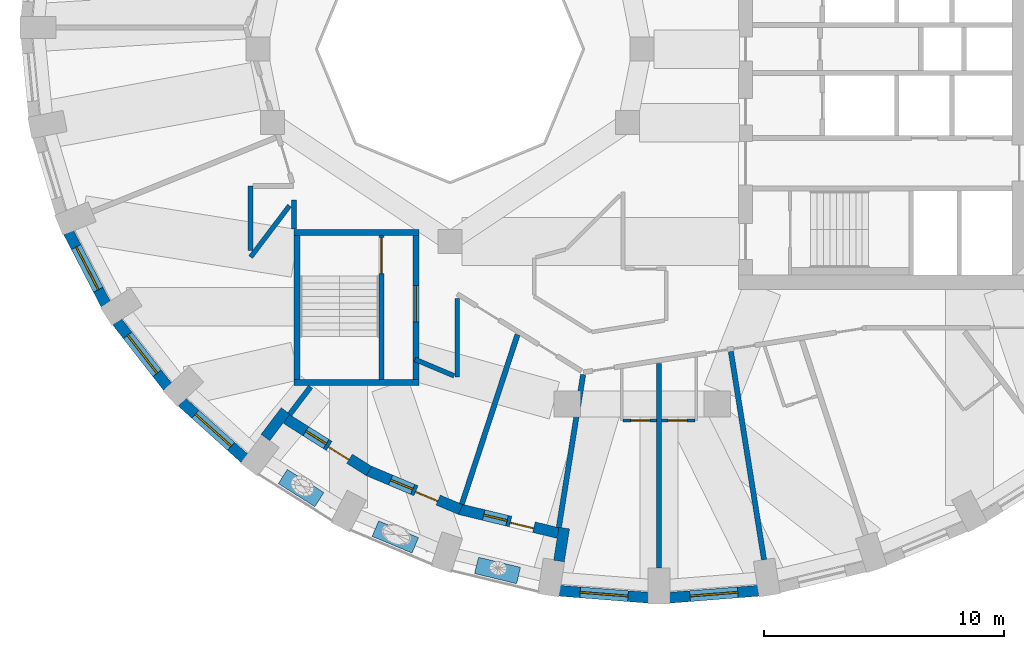
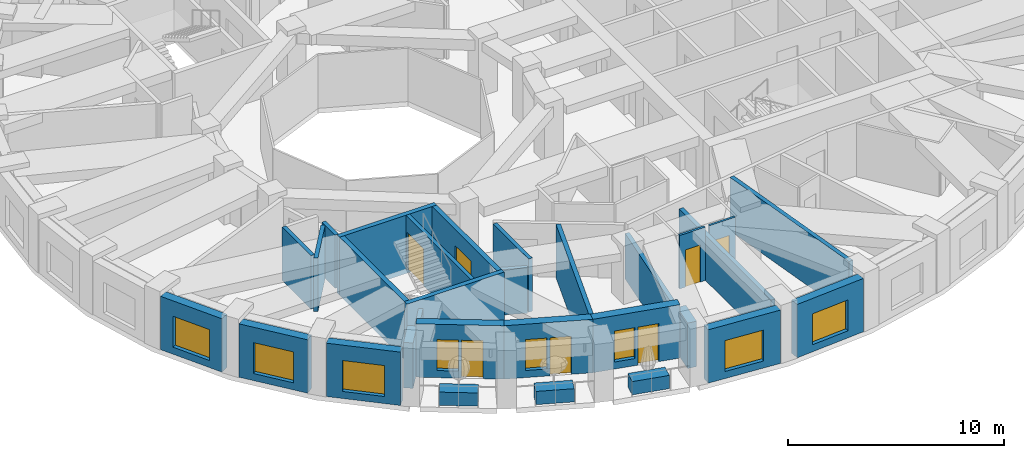
# One storey, part 3 of 12: 30 walls, 8 windows, 7 doors, 15 openings.
"""IFC4 building model written with IfcOpenShell, lengths in metres."""

import ifcopenshell
import ifcopenshell.guid

model = None  # the IFC model being written
_history = None  # IfcOwnerHistory: only IFC2X3 demands one
_inside = {}  # id of a spatial element -> (the spatial element, [elements in it])
_under = {}  # id of a project, library or spatial element -> (it, [spatial elements below it])
_declared = {}  # id of a project -> (the project, [libraries it declares])
_typed = {}  # id of a type object -> (the type object, [elements of that type])
_made_of = {}  # id of a material, layer set ... -> (it, [elements and type objects made of it])


def new_model(schema):
    """Start an empty IFC model of exactly this schema.

    Asked for "IFC4X3", IfcOpenShell would pick the latest addendum, in which some entities
    have other attributes; the version numbers below select the first issue.
    IFC2X3 requires an IfcOwnerHistory on every rooted entity: one is made here for all.
    """
    global model, _history
    if schema == "IFC4X3":
        model = ifcopenshell.file(schema_version=(4, 3, 0, 0))
    else:
        model = ifcopenshell.file(schema=schema)
    _inside.clear()
    _under.clear()
    _declared.clear()
    _typed.clear()
    _made_of.clear()
    _history = None
    if model.schema == "IFC2X3":
        org = make("IfcOrganization", Name="unknown")
        user = make(
            "IfcPersonAndOrganization",
            ThePerson=make("IfcPerson", FamilyName="unknown"),
            TheOrganization=org,
        )
        app = make(
            "IfcApplication",
            ApplicationDeveloper=org,
            Version="unknown",
            ApplicationFullName="unknown",
            ApplicationIdentifier="unknown",
        )
        _history = make(
            "IfcOwnerHistory",
            OwningUser=user,
            OwningApplication=app,
            ChangeAction="ADDED",
            CreationDate=0,
        )
    return model


def make(cls, **values):
    """One entity of the class cls with the attributes given. An attribute that is None is left unset."""
    return model.create_entity(
        cls, **{name: value for name, value in values.items() if value is not None}
    )


def rooted(cls, **values):
    """An entity with a GlobalId (a new one), such as an element, a storey or a relation."""
    return make(cls, GlobalId=ifcopenshell.guid.new(), OwnerHistory=_history, **values)


def si_unit(unit_type, name, prefix=None):
    """IfcSIUnit, for example si_unit("LENGTHUNIT", "METRE", prefix="MILLI")."""
    return make("IfcSIUnit", UnitType=unit_type, Prefix=prefix, Name=name)


def assignment(units):
    """IfcUnitAssignment: the units of a project."""
    return None if units is None else make("IfcUnitAssignment", Units=units)


def point(xyz):
    """IfcCartesianPoint."""
    return None if xyz is None else make("IfcCartesianPoint", Coordinates=xyz)


def direction(xyz):
    """IfcDirection."""
    return None if xyz is None else make("IfcDirection", DirectionRatios=xyz)


def frame(location, z_axis=None, x_axis=None):
    """IfcAxis2Placement3D, a coordinate frame: its origin and axes. An axis left out is left unset."""
    return make(
        "IfcAxis2Placement3D",
        Location=point(location),
        Axis=direction(z_axis),
        RefDirection=direction(x_axis),
    )


def frame_2d(location, x_axis=None):
    """IfcAxis2Placement2D, a coordinate frame in the plane: its origin and x axis."""
    return make(
        "IfcAxis2Placement2D", Location=point(location), RefDirection=direction(x_axis)
    )


def origin():
    """The frame at (0, 0, 0) with its axes left unset."""
    return frame((0.0, 0.0, 0.0))


def place(relative_to, where):
    """IfcLocalPlacement: puts the frame where relative to a parent placement (None: the world)."""
    return make(
        "IfcLocalPlacement", PlacementRelTo=relative_to, RelativePlacement=where
    )


def context(
    kind, dimensions, precision=None, world=None, true_north=None, identifier=None
):
    """IfcGeometricRepresentationContext, for example the 3D "Model" context."""
    return make(
        "IfcGeometricRepresentationContext",
        ContextIdentifier=identifier,
        ContextType=kind,
        CoordinateSpaceDimension=dimensions,
        Precision=precision,
        WorldCoordinateSystem=world,
        TrueNorth=true_north,
    )


def subcontext(parent, identifier, kind, view, scale=None):
    """IfcGeometricRepresentationSubContext, for example "Body" below "Model"."""
    return make(
        "IfcGeometricRepresentationSubContext",
        ContextIdentifier=identifier,
        ContextType=kind,
        ParentContext=parent,
        TargetScale=scale,
        TargetView=view,
    )


def project(units=None, contexts=None):
    """IfcProject with its units and contexts."""
    return rooted(
        "IfcProject",
        Name="project",
        RepresentationContexts=contexts,
        UnitsInContext=assignment(units),
    )


def spatial(cls, under=None, at=None, **own):
    """A site, building, storey or space (cls), placed at a placement, below another one or the project."""
    s = rooted(cls, ObjectPlacement=at, **own)
    if under is not None:
        _under.setdefault(under.id(), (under, []))[1].append(s)
    return s


def profile(cls, at=None, kind="AREA", **sizes):
    """A parametric profile (cls). Its sizes go by their IFC names, for example OverallWidth=200.0."""
    return make(cls, ProfileType=kind, Position=at, **sizes)


def rectangle(**sizes):
    """IfcRectangleProfileDef."""
    return profile("IfcRectangleProfileDef", **sizes)


def extrude(swept, where, along, depth):
    """IfcExtrudedAreaSolid: the profile swept, set in the frame where, extruded along a direction by depth."""
    return make(
        "IfcExtrudedAreaSolid",
        SweptArea=swept,
        Position=where,
        ExtrudedDirection=direction(along),
        Depth=depth,
    )


def shape(context_of_items, identifier, shape_type, items):
    """IfcShapeRepresentation: the items that make up one representation, for example the "Body"."""
    return make(
        "IfcShapeRepresentation",
        ContextOfItems=context_of_items,
        RepresentationIdentifier=identifier,
        RepresentationType=shape_type,
        Items=items,
    )


def material(Name=None, Category=None):
    """IfcMaterial."""
    return make("IfcMaterial", Name=Name, Category=Category)


def layer(
    of_material, thickness, ventilated=None, Name=None, Category=None, Priority=None
):
    """IfcMaterialLayer: one layer of a wall or slab, of a material (None: an air gap)."""
    return make(
        "IfcMaterialLayer",
        Material=of_material,
        LayerThickness=thickness,
        IsVentilated=ventilated,
        Name=Name,
        Category=Category,
        Priority=Priority,
    )


def layer_set(layers, Name=None):
    """IfcMaterialLayerSet."""
    return make("IfcMaterialLayerSet", MaterialLayers=layers, LayerSetName=Name)


def constituent(of_material, Name=None, Category=None, fraction=None):
    """IfcMaterialConstituent: one of the materials an element consists of."""
    return make(
        "IfcMaterialConstituent",
        Name=Name,
        Material=of_material,
        Fraction=fraction,
        Category=Category,
    )


def constituent_set(constituents=None, Name=None):
    """IfcMaterialConstituentSet."""
    return make(
        "IfcMaterialConstituentSet", Name=Name, MaterialConstituents=constituents
    )


def made_of(thing, what):
    """Note that an element or type object is made of a material, layer set ...; save() writes the relation."""
    if what is not None:
        _made_of.setdefault(what.id(), (what, []))[1].append(thing)
    return thing


def type_object(cls, material=None, **own):
    """A type object (cls), such as IfcWallType, which elements share."""
    return made_of(rooted(cls, **own), material)


def element(
    cls,
    number,
    at=None,
    inside=None,
    cuts=None,
    type_object=None,
    material=None,
    context=None,
    identifier="Body",
    shape_type=None,
    held_by="IfcProductDefinitionShape",
    body=None,
    shapes=None,
    **own,
):
    """One element of the class cls, such as IfcWall. Its Tag is "e" and its number.

    at: its placement. inside: the storey or other place that contains it. cuts: it is an
    opening in that element (IfcRelVoidsElement). A single representation is given by context,
    identifier, shape_type and body (its items); several are given by shapes. held_by: the class
    of the entity that holds the representations. save() writes the other relations.
    """
    e = rooted(cls, Tag="e%d" % number, ObjectPlacement=at, **own)
    if body is not None:
        shapes = [shape(context, identifier, shape_type, body)]
    if shapes is not None:
        e.Representation = make(held_by, Representations=shapes)
    if inside is not None:
        _inside.setdefault(inside.id(), (inside, []))[1].append(e)
    if cuts is not None:
        rooted(
            "IfcRelVoidsElement", RelatingBuildingElement=cuts, RelatedOpeningElement=e
        )
    if type_object is not None:
        _typed.setdefault(type_object.id(), (type_object, []))[1].append(e)
    return made_of(e, material)


def fill(opening, filler):
    """IfcRelFillsElement: the door or window that sits in an opening."""
    return rooted(
        "IfcRelFillsElement",
        RelatingOpeningElement=opening,
        RelatedBuildingElement=filler,
    )


def aggregate(whole, parts):
    """IfcRelAggregates: a whole, such as a stair, and the parts it consists of."""
    return rooted("IfcRelAggregates", RelatingObject=whole, RelatedObjects=parts)


def save(model, path):
    """Write the relations noted so far, then the file.

    IfcRelAggregates (storeys below a building ...), IfcRelContainedInSpatialStructure (elements
    in a storey), IfcRelDefinesByType, IfcRelAssociatesMaterial and IfcRelDeclares: one each for
    every whole, place, type object, material and project.
    """
    for whole, parts in _under.values():
        aggregate(whole, parts)
    for where, things in _inside.values():
        rooted(
            "IfcRelContainedInSpatialStructure",
            RelatedElements=things,
            RelatingStructure=where,
        )
    for kind, things in _typed.values():
        rooted("IfcRelDefinesByType", RelatedObjects=things, RelatingType=kind)
    for what, things in _made_of.values():
        rooted("IfcRelAssociatesMaterial", RelatedObjects=things, RelatingMaterial=what)
    for by, libraries in _declared.values():
        rooted("IfcRelDeclares", RelatingContext=by, RelatedDefinitions=libraries)
    model.write(path)


model = new_model("IFC4")

# Units and contexts
model_context = context("Model", 3, precision=1e-05, world=origin(), true_north=direction((0.0, 1.0)))
body_context = subcontext(model_context, "Body", "Model", "MODEL_VIEW")
ifc_project = project(units=[si_unit("LENGTHUNIT", "METRE"), si_unit("AREAUNIT", "SQUARE_METRE"), si_unit("VOLUMEUNIT", "CUBIC_METRE"), si_unit("PLANEANGLEUNIT", "RADIAN"), si_unit("MASSUNIT", "GRAM", prefix="KILO")], contexts=[model_context])

# Site, building, storey
site_placement = place(None, origin())
site = spatial("IfcSite", under=ifc_project, at=site_placement, CompositionType="ELEMENT")
building_placement = place(site_placement, origin())
building = spatial("IfcBuilding", under=site, at=building_placement, Name="Taillehof Tower", CompositionType="ELEMENT")
storey_placement = place(building_placement, frame((0.0, 0.0, 209.0)))
storey = spatial("IfcBuildingStorey", under=building, at=storey_placement, Name="L59", CompositionType="ELEMENT", Elevation=209.0)

# Wall, opening, window
ifc_material_1 = material(Name="Brick masonry", Category="masonry")
ifc_layer_1 = layer(ifc_material_1, 0.449951171875)
ifc_layer_set_1 = layer_set([ifc_layer_1], Name="Brick infill wall 450")
wall_type_1 = type_object("IfcWallType", Name="Brick infill wall 450", PredefinedType="SOLIDWALL", material=ifc_layer_set_1)
wall_1_placement = place(storey_placement, frame((-23.878173828125, -7.631591796875, 0.0), z_axis=(0.0, 0.0, 1.0), x_axis=(0.460232593174, -0.887798378113, 0.0)))
wall_1 = element("IfcWall", 1, at=wall_1_placement, inside=storey, type_object=wall_type_1, Name="Brick wall L59 bay 21", PredefinedType="SOLIDWALL", context=body_context, shape_type="SweptSolid", body=[
    extrude(rectangle(XDim=3.37060546875, YDim=0.449951171875, at=frame_2d((1.685302734375, 0.0))), origin(), (0.0, 0.0, 1.0), 3.02001953125),
])
opening_1_placement = place(wall_1_placement, frame((0.685302734375, 0.0, 0.39990234375)))
opening_1 = element("IfcOpeningElement", 2, at=opening_1_placement, cuts=wall_1, Name="Opening W2", PredefinedType="OPENING", context=body_context, shape_type="SweptSolid", body=[
    extrude(rectangle(XDim=2.0, YDim=1.75, at=frame_2d((1.0, 0.875))), frame((0.0, 0.23486328125, 0.0), z_axis=(0.0, -1.0, 0.0), x_axis=(1.0, 0.0, 0.0)), (0.0, 0.0, 1.0), 0.469970703125),
])
ifc_material_2 = material(Name="Aluminium window frame with clear double glazing", Category="aluminium")
window_type_1 = type_object("IfcWindowType", Name="Deep-set window 2000x1750", PartitioningType="SINGLE_PANEL", PredefinedType="WINDOW", material=ifc_material_2)
window_1_placement = place(opening_1_placement, origin())
window_1 = element("IfcWindow", 3, at=window_1_placement, inside=storey, type_object=window_type_1, Name="W2", OverallHeight=1.75, OverallWidth=2.0, PartitioningType="SINGLE_PANEL", PredefinedType="WINDOW", context=body_context, shape_type="SweptSolid", body=[
    extrude(rectangle(XDim=2.0, YDim=1.75, at=frame_2d((1.0, 0.875))), frame((0.0, 0.034912109375, 0.0), z_axis=(0.0, -1.0, 0.0), x_axis=(1.0, 0.0, 0.0)), (0.0, 0.0, 1.0), 0.06005859375),
])
fill(opening_1, window_1)

wall_2_placement = place(storey_placement, frame((-21.86279296875, -11.348388671875, 0.0), z_axis=(0.0, 0.0, 1.0), x_axis=(0.614255239631, -0.789107407509, 0.0)))
wall_2 = element("IfcWall", 4, at=wall_2_placement, inside=storey, type_object=wall_type_1, Name="Brick wall L59 bay 22", PredefinedType="SOLIDWALL", context=body_context, shape_type="SweptSolid", body=[
    extrude(rectangle(XDim=3.4375, YDim=0.449951171875, at=frame_2d((1.71875, 0.0))), origin(), (0.0, 0.0, 1.0), 3.02001953125),
])
opening_2_placement = place(wall_2_placement, frame((0.71875, 0.0, 0.39990234375)))
opening_2 = element("IfcOpeningElement", 5, at=opening_2_placement, cuts=wall_2, Name="Opening W2", PredefinedType="OPENING", context=body_context, shape_type="SweptSolid", body=[
    extrude(rectangle(XDim=2.0, YDim=1.75, at=frame_2d((1.0, 0.875))), frame((0.0, 0.23486328125, 0.0), z_axis=(0.0, -1.0, 0.0), x_axis=(1.0, 0.0, 0.0)), (0.0, 0.0, 1.0), 0.469970703125),
])
window_2_placement = place(opening_2_placement, origin())
window_2 = element("IfcWindow", 6, at=window_2_placement, inside=storey, type_object=window_type_1, Name="W2", OverallHeight=1.75, OverallWidth=2.0, PartitioningType="SINGLE_PANEL", PredefinedType="WINDOW", context=body_context, shape_type="SweptSolid", body=[
    extrude(rectangle(XDim=2.0, YDim=1.75, at=frame_2d((1.0, 0.875))), frame((0.0, 0.034912109375, 0.0), z_axis=(0.0, -1.0, 0.0), x_axis=(1.0, 0.0, 0.0)), (0.0, 0.0, 1.0), 0.06005859375),
])
fill(opening_2, window_2)

wall_3_placement = place(storey_placement, frame((-19.1650390625, -14.6904296875, 0.0), z_axis=(0.0, 0.0, 1.0), x_axis=(0.743442727602, -0.668799604348, 0.0)))
wall_3 = element("IfcWall", 7, at=wall_3_placement, inside=storey, type_object=wall_type_1, Name="Brick wall L59 bay 23", PredefinedType="SOLIDWALL", context=body_context, shape_type="SweptSolid", body=[
    extrude(rectangle(XDim=3.5126953125, YDim=0.449951171875, at=frame_2d((1.75634765625, 0.0))), origin(), (0.0, 0.0, 1.0), 3.02001953125),
])
opening_3_placement = place(wall_3_placement, frame((0.75634765625, 0.0, 0.39990234375)))
opening_3 = element("IfcOpeningElement", 8, at=opening_3_placement, cuts=wall_3, Name="Opening W2", PredefinedType="OPENING", context=body_context, shape_type="SweptSolid", body=[
    extrude(rectangle(XDim=2.0, YDim=1.75, at=frame_2d((1.0, 0.875))), frame((0.0, 0.23486328125, 0.0), z_axis=(0.0, -1.0, 0.0), x_axis=(1.0, 0.0, 0.0)), (0.0, 0.0, 1.0), 0.469970703125),
])
window_3_placement = place(opening_3_placement, origin())
window_3 = element("IfcWindow", 9, at=window_3_placement, inside=storey, type_object=window_type_1, Name="W2", OverallHeight=1.75, OverallWidth=2.0, PartitioningType="SINGLE_PANEL", PredefinedType="WINDOW", context=body_context, shape_type="SweptSolid", body=[
    extrude(rectangle(XDim=2.0, YDim=1.75, at=frame_2d((1.0, 0.875))), frame((0.0, 0.034912109375, 0.0), z_axis=(0.0, -1.0, 0.0), x_axis=(1.0, 0.0, 0.0)), (0.0, 0.0, 1.0), 0.06005859375),
])
fill(opening_3, window_3)

wall_4_placement = place(storey_placement, frame((-3.441162109375, -22.54833984375, 0.0), z_axis=(0.0, 0.0, 1.0), x_axis=(0.996913971077, -0.078501810629, 0.0)))
wall_4 = element("IfcWall", 10, at=wall_4_placement, inside=storey, type_object=wall_type_1, Name="Brick wall L59 bay 27", PredefinedType="SOLIDWALL", context=body_context, shape_type="SweptSolid", body=[
    extrude(rectangle(XDim=3.72265625, YDim=0.449951171875, at=frame_2d((1.861328125, 0.0))), origin(), (0.0, 0.0, 1.0), 3.02001953125),
])
opening_4_placement = place(wall_4_placement, frame((0.861328125, 0.0, 0.39990234375)))
opening_4 = element("IfcOpeningElement", 11, at=opening_4_placement, cuts=wall_4, Name="Opening W2", PredefinedType="OPENING", context=body_context, shape_type="SweptSolid", body=[
    extrude(rectangle(XDim=2.0, YDim=1.75, at=frame_2d((1.0, 0.875))), frame((0.0, 0.23486328125, 0.0), z_axis=(0.0, -1.0, 0.0), x_axis=(1.0, 0.0, 0.0)), (0.0, 0.0, 1.0), 0.469970703125),
])
window_4_placement = place(opening_4_placement, origin())
window_4 = element("IfcWindow", 12, at=window_4_placement, inside=storey, type_object=window_type_1, Name="W2", OverallHeight=1.75, OverallWidth=2.0, PartitioningType="SINGLE_PANEL", PredefinedType="WINDOW", context=body_context, shape_type="SweptSolid", body=[
    extrude(rectangle(XDim=2.0, YDim=1.75, at=frame_2d((1.0, 0.875))), frame((0.0, 0.034912109375, 0.0), z_axis=(0.0, -1.0, 0.0), x_axis=(1.0, 0.0, 0.0)), (0.0, 0.0, 1.0), 0.06005859375),
])
fill(opening_4, window_4)

wall_5_placement = place(storey_placement, frame((1.130126953125, -22.840576171875, 0.0), z_axis=(0.0, 0.0, 1.0), x_axis=(0.996913566885, 0.078506943392, 0.0)))
wall_5 = element("IfcWall", 13, at=wall_5_placement, inside=storey, type_object=wall_type_1, Name="Brick wall L59 bay 28", PredefinedType="SOLIDWALL", context=body_context, shape_type="SweptSolid", body=[
    extrude(rectangle(XDim=3.722412109375, YDim=0.449951171875, at=frame_2d((1.861328125, 0.0))), origin(), (0.0, 0.0, 1.0), 3.02001953125),
])
opening_5_placement = place(wall_5_placement, frame((0.861328125, 0.0, 0.39990234375)))
opening_5 = element("IfcOpeningElement", 14, at=opening_5_placement, cuts=wall_5, Name="Opening W2", PredefinedType="OPENING", context=body_context, shape_type="SweptSolid", body=[
    extrude(rectangle(XDim=2.0, YDim=1.75, at=frame_2d((1.0, 0.875))), frame((0.0, 0.23486328125, 0.0), z_axis=(0.0, -1.0, 0.0), x_axis=(1.0, 0.0, 0.0)), (0.0, 0.0, 1.0), 0.469970703125),
])
window_5_placement = place(opening_5_placement, origin())
window_5 = element("IfcWindow", 15, at=window_5_placement, inside=storey, type_object=window_type_1, Name="W2", OverallHeight=1.75, OverallWidth=2.0, PartitioningType="SINGLE_PANEL", PredefinedType="WINDOW", context=body_context, shape_type="SweptSolid", body=[
    extrude(rectangle(XDim=2.0, YDim=1.75, at=frame_2d((1.0, 0.875))), frame((0.0, 0.034912109375, 0.0), z_axis=(0.0, -1.0, 0.0), x_axis=(1.0, 0.0, 0.0)), (0.0, 0.0, 1.0), 0.06005859375),
])
fill(opening_5, window_5)

# Walls
wall_6_placement = place(storey_placement, frame((-15.684814453125, -16.169921875, 0.0), z_axis=(0.0, 0.0, 1.0), x_axis=(0.603644757989, 0.797253414011, 0.0)))
element("IfcWall", 16, at=wall_6_placement, inside=storey, type_object=wall_type_1, Name="Brick reveal L59 pocket 7", PredefinedType="SOLIDWALL", context=body_context, shape_type="SweptSolid", body=[
    extrude(rectangle(XDim=1.390869140625, YDim=0.449951171875, at=frame_2d((0.6953125, 0.0))), origin(), (0.0, 0.0, 1.0), 2.570068359375),
])
wall_7_placement = place(storey_placement, frame((-3.46435546875, -21.309326171875, 0.0), z_axis=(0.0, 0.0, 1.0), x_axis=(0.157161757203, 0.98757287431, 0.0)))
element("IfcWall", 17, at=wall_7_placement, inside=storey, type_object=wall_type_1, Name="Brick reveal L59 pocket 7", PredefinedType="SOLIDWALL", context=body_context, shape_type="SweptSolid", body=[
    extrude(rectangle(XDim=1.390380859375, YDim=0.449951171875, at=frame_2d((0.6953125, 0.0))), origin(), (0.0, 0.0, 1.0), 2.570068359375),
])

# Wall, openings, door, window
wall_8_placement = place(storey_placement, frame((-14.813232421875, -15.3916015625, 0.0), z_axis=(0.0, 0.0, 1.0), x_axis=(0.84545185308, -0.534051649303, 0.0)))
wall_8 = element("IfcWall", 18, at=wall_8_placement, inside=storey, type_object=wall_type_1, Name="Brick wall L59 pocket bay 24", PredefinedType="SOLIDWALL", context=body_context, shape_type="SweptSolid", body=[
    extrude(rectangle(XDim=4.0712890625, YDim=0.449951171875, at=frame_2d((2.03564453125, 0.0))), origin(), (0.0, 0.0, 1.0), 3.02001953125),
])
opening_6_placement = place(wall_8_placement, frame((0.960693359375, 0.0, 0.39990234375)))
opening_6 = element("IfcOpeningElement", 19, at=opening_6_placement, cuts=wall_8, Name="Opening W5", PredefinedType="OPENING", context=body_context, shape_type="SweptSolid", body=[
    extrude(rectangle(XDim=1.0, YDim=1.75, at=frame_2d((0.5, 0.875))), frame((0.0, 0.23486328125, 0.0), z_axis=(0.0, -1.0, 0.0), x_axis=(1.0, 0.0, 0.0)), (0.0, 0.0, 1.0), 0.469970703125),
])
opening_7_placement = place(wall_8_placement, frame((2.110595703125, 0.0, 0.0)))
opening_7 = element("IfcOpeningElement", 20, at=opening_7_placement, cuts=wall_8, Name="Opening D5991", PredefinedType="OPENING", context=body_context, shape_type="SweptSolid", body=[
    extrude(rectangle(XDim=1.0, YDim=2.14990234375, at=frame_2d((0.5, 1.074951171875))), frame((0.0, 0.23486328125, 0.0), z_axis=(0.0, -1.0, 0.0), x_axis=(1.0, 0.0, 0.0)), (0.0, 0.0, 1.0), 0.469970703125),
])
ifc_material_3 = material(Name="Aluminium door frame with clear double glazing", Category="aluminium")
door_type_1 = type_object("IfcDoorType", Name="Balcony door 1000x2150", OperationType="SINGLE_SWING_RIGHT", PredefinedType="DOOR", material=ifc_material_3)
door_1_placement = place(opening_7_placement, frame((1.0, 0.0, 0.0), z_axis=(0.0, 0.0, 1.0), x_axis=(-1.0, 0.0, 0.0)))
door_1 = element("IfcDoor", 21, at=door_1_placement, inside=storey, type_object=door_type_1, Name="Balcony door L59 bay 24", OperationType="SINGLE_SWING_RIGHT", OverallHeight=2.14990234375, OverallWidth=1.0, PredefinedType="DOOR", context=body_context, shape_type="SweptSolid", body=[
    extrude(rectangle(XDim=1.0, YDim=2.14990234375, at=frame_2d((0.5, 1.074951171875))), frame((0.0, 0.0751953125, 0.0), z_axis=(0.0, -1.0, 0.0), x_axis=(1.0, 0.0, 0.0)), (0.0, 0.0, 1.0), 0.050048828125),
])
fill(opening_7, door_1)
ifc_material_4 = material(Name="Aluminium window frame with clear double glazing", Category="aluminium")
window_type_2 = type_object("IfcWindowType", Name="Fixed window 1000x1750", PartitioningType="SINGLE_PANEL", PredefinedType="WINDOW", material=ifc_material_4)
window_6_placement = place(opening_6_placement, origin())
window_6 = element("IfcWindow", 22, at=window_6_placement, inside=storey, type_object=window_type_2, Name="W5", OverallHeight=1.75, OverallWidth=1.0, PartitioningType="SINGLE_PANEL", PredefinedType="WINDOW", context=body_context, shape_type="SweptSolid", body=[
    extrude(rectangle(XDim=1.0, YDim=1.75, at=frame_2d((0.5, 0.875))), frame((0.0, 0.034912109375, 0.0), z_axis=(0.0, -1.0, 0.0), x_axis=(1.0, 0.0, 0.0)), (0.0, 0.0, 1.0), 0.06005859375),
])
fill(opening_6, window_6)

wall_9_placement = place(storey_placement, frame((-11.404052734375, -17.548583984375, 0.0), z_axis=(0.0, 0.0, 1.0), x_axis=(0.921751093055, -0.387782055351, 0.0)))
wall_9 = element("IfcWall", 23, at=wall_9_placement, inside=storey, type_object=wall_type_1, Name="Brick wall L59 pocket bay 25", PredefinedType="SOLIDWALL", context=body_context, shape_type="SweptSolid", body=[
    extrude(rectangle(XDim=4.16845703125, YDim=0.449951171875, at=frame_2d((2.084228515625, 0.0))), origin(), (0.0, 0.0, 1.0), 3.02001953125),
])
opening_8_placement = place(wall_9_placement, frame((1.00927734375, 0.0, 0.39990234375)))
opening_8 = element("IfcOpeningElement", 24, at=opening_8_placement, cuts=wall_9, Name="Opening W5", PredefinedType="OPENING", context=body_context, shape_type="SweptSolid", body=[
    extrude(rectangle(XDim=1.0, YDim=1.75, at=frame_2d((0.5, 0.875))), frame((0.0, 0.23486328125, 0.0), z_axis=(0.0, -1.0, 0.0), x_axis=(1.0, 0.0, 0.0)), (0.0, 0.0, 1.0), 0.469970703125),
])
opening_9_placement = place(wall_9_placement, frame((2.1591796875, 0.0, 0.0)))
opening_9 = element("IfcOpeningElement", 25, at=opening_9_placement, cuts=wall_9, Name="Opening D5992", PredefinedType="OPENING", context=body_context, shape_type="SweptSolid", body=[
    extrude(rectangle(XDim=1.0, YDim=2.14990234375, at=frame_2d((0.5, 1.074951171875))), frame((0.0, 0.23486328125, 0.0), z_axis=(0.0, -1.0, 0.0), x_axis=(1.0, 0.0, 0.0)), (0.0, 0.0, 1.0), 0.469970703125),
])
door_2_placement = place(opening_9_placement, frame((1.0, 0.0, 0.0), z_axis=(0.0, 0.0, 1.0), x_axis=(-1.0, 0.0, 0.0)))
door_2 = element("IfcDoor", 26, at=door_2_placement, inside=storey, type_object=door_type_1, Name="Balcony door L59 bay 25", OperationType="SINGLE_SWING_LEFT", OverallHeight=2.14990234375, OverallWidth=1.0, PredefinedType="DOOR", context=body_context, shape_type="SweptSolid", body=[
    extrude(rectangle(XDim=1.0, YDim=2.14990234375, at=frame_2d((0.5, 1.074951171875))), frame((0.0, 0.0751953125, 0.0), z_axis=(0.0, -1.0, 0.0), x_axis=(1.0, 0.0, 0.0)), (0.0, 0.0, 1.0), 0.050048828125),
])
fill(opening_9, door_2)
window_7_placement = place(opening_8_placement, origin())
window_7 = element("IfcWindow", 27, at=window_7_placement, inside=storey, type_object=window_type_2, Name="W5", OverallHeight=1.75, OverallWidth=1.0, PartitioningType="SINGLE_PANEL", PredefinedType="WINDOW", context=body_context, shape_type="SweptSolid", body=[
    extrude(rectangle(XDim=1.0, YDim=1.75, at=frame_2d((0.5, 0.875))), frame((0.0, 0.034912109375, 0.0), z_axis=(0.0, -1.0, 0.0), x_axis=(1.0, 0.0, 0.0)), (0.0, 0.0, 1.0), 0.06005859375),
])
fill(opening_8, window_7)

wall_10_placement = place(storey_placement, frame((-7.595947265625, -19.15380859375, 0.0), z_axis=(0.0, 0.0, 1.0), x_axis=(0.972004107579, -0.234963858602, 0.0)))
wall_10 = element("IfcWall", 28, at=wall_10_placement, inside=storey, type_object=wall_type_1, Name="Brick wall L59 pocket bay 26", PredefinedType="SOLIDWALL", context=body_context, shape_type="SweptSolid", body=[
    extrude(rectangle(XDim=4.20703125, YDim=0.449951171875, at=frame_2d((2.103515625, 0.0))), origin(), (0.0, 0.0, 1.0), 3.02001953125),
])
opening_10_placement = place(wall_10_placement, frame((1.028564453125, 0.0, 0.39990234375)))
opening_10 = element("IfcOpeningElement", 29, at=opening_10_placement, cuts=wall_10, Name="Opening W5", PredefinedType="OPENING", context=body_context, shape_type="SweptSolid", body=[
    extrude(rectangle(XDim=1.0, YDim=1.75, at=frame_2d((0.5, 0.875))), frame((0.0, 0.23486328125, 0.0), z_axis=(0.0, -1.0, 0.0), x_axis=(1.0, 0.0, 0.0)), (0.0, 0.0, 1.0), 0.469970703125),
])
opening_11_placement = place(wall_10_placement, frame((2.1787109375, 0.0, 0.0)))
opening_11 = element("IfcOpeningElement", 30, at=opening_11_placement, cuts=wall_10, Name="Opening D5993", PredefinedType="OPENING", context=body_context, shape_type="SweptSolid", body=[
    extrude(rectangle(XDim=1.0, YDim=2.14990234375, at=frame_2d((0.5, 1.074951171875))), frame((0.0, 0.23486328125, 0.0), z_axis=(0.0, -1.0, 0.0), x_axis=(1.0, 0.0, 0.0)), (0.0, 0.0, 1.0), 0.469970703125),
])
door_3_placement = place(opening_11_placement, frame((1.0, 0.0, 0.0), z_axis=(0.0, 0.0, 1.0), x_axis=(-1.0, 0.0, 0.0)))
door_3 = element("IfcDoor", 31, at=door_3_placement, inside=storey, type_object=door_type_1, Name="Balcony door L59 bay 26", OperationType="SINGLE_SWING_LEFT", OverallHeight=2.14990234375, OverallWidth=1.0, PredefinedType="DOOR", context=body_context, shape_type="SweptSolid", body=[
    extrude(rectangle(XDim=1.0, YDim=2.14990234375, at=frame_2d((0.5, 1.074951171875))), frame((0.0, 0.0751953125, 0.0), z_axis=(0.0, -1.0, 0.0), x_axis=(1.0, 0.0, 0.0)), (0.0, 0.0, 1.0), 0.050048828125),
])
fill(opening_11, door_3)
window_8_placement = place(opening_10_placement, origin())
window_8 = element("IfcWindow", 32, at=window_8_placement, inside=storey, type_object=window_type_2, Name="W5", OverallHeight=1.75, OverallWidth=1.0, PartitioningType="SINGLE_PANEL", PredefinedType="WINDOW", context=body_context, shape_type="SweptSolid", body=[
    extrude(rectangle(XDim=1.0, YDim=1.75, at=frame_2d((0.5, 0.875))), frame((0.0, 0.034912109375, 0.0), z_axis=(0.0, -1.0, 0.0), x_axis=(1.0, 0.0, 0.0)), (0.0, 0.0, 1.0), 0.06005859375),
])
fill(opening_10, window_8)

# Walls
ifc_material_5 = material(Name="Gypsum board on steel studs, two layers each side", Category="steel")
ifc_layer_2 = layer(ifc_material_5, 0.199951171875)
ifc_layer_set_2 = layer_set([ifc_layer_2], Name="Compartment wall corridor 200")
wall_type_2 = type_object("IfcWallType", Name="Compartment wall corridor 200", PredefinedType="PARTITIONING", material=ifc_layer_set_2)
wall_11_placement = place(storey_placement, frame((-7.699951171875, -10.37548828125, 0.0), z_axis=(0.0, 0.0, 1.0), x_axis=(0.0, -1.0, 0.0)))
element("IfcWall", 33, at=wall_11_placement, inside=storey, type_object=wall_type_2, Name="Compartment wall", PredefinedType="PARTITIONING", context=body_context, shape_type="SweptSolid", body=[
    extrude(rectangle(XDim=3.27978515625, YDim=0.199951171875, at=frame_2d((1.639892578125, 0.0))), origin(), (0.0, 0.0, 1.0), 3.02001953125),
])
wall_12_placement = place(storey_placement, frame((-7.829833984375, -13.6005859375, 0.0), z_axis=(0.0, 0.0, 1.0), x_axis=(-0.921793770535, 0.387680596112, 0.0)))
element("IfcWall", 34, at=wall_12_placement, inside=storey, type_object=wall_type_2, Name="Compartment wall", PredefinedType="PARTITIONING", context=body_context, shape_type="SweptSolid", body=[
    extrude(rectangle(XDim=1.76904296875, YDim=0.199951171875, at=frame_2d((0.884521484375, 0.0))), origin(), (0.0, 0.0, 1.0), 2.570068359375),
])
wall_13_placement = place(storey_placement, frame((-14.5, -7.49609375, 0.0), z_axis=(0.0, 0.0, 1.0), x_axis=(0.0, 1.0, 0.0)))
element("IfcWall", 35, at=wall_13_placement, inside=storey, type_object=wall_type_2, Name="Compartment wall", PredefinedType="PARTITIONING", context=body_context, shape_type="SweptSolid", body=[
    extrude(rectangle(XDim=1.2158203125, YDim=0.199951171875, at=frame_2d((0.60791015625, 0.0))), origin(), (0.0, 0.0, 1.0), 3.02001953125),
])
wall_14_placement = place(storey_placement, frame((-14.679443359375, -6.518310546875, 0.0), z_axis=(0.0, 0.0, 1.0), x_axis=(-0.603820908912, -0.797120009761, 0.0)))
element("IfcWall", 36, at=wall_14_placement, inside=storey, type_object=wall_type_2, Name="Compartment wall", PredefinedType="PARTITIONING", context=body_context, shape_type="SweptSolid", body=[
    extrude(rectangle(XDim=2.683837890625, YDim=0.199951171875, at=frame_2d((1.341796875, 0.0))), origin(), (0.0, 0.0, 1.0), 3.02001953125),
])
wall_15_placement = place(storey_placement, frame((-16.300048828125, -8.37744140625, 0.0), z_axis=(0.0, 0.0, 1.0), x_axis=(0.0, 1.0, 0.0)))
element("IfcWall", 37, at=wall_15_placement, inside=storey, type_object=wall_type_2, Name="Compartment wall", PredefinedType="PARTITIONING", context=body_context, shape_type="SweptSolid", body=[
    extrude(rectangle(XDim=2.677490234375, YDim=0.199951171875, at=frame_2d((1.3388671875, 0.0))), origin(), (0.0, 0.0, 1.0), 3.02001953125),
])
ifc_material_6 = material(Name="Gypsum board on double steel studs with mineral wool", Category="steel")
ifc_layer_3 = layer(ifc_material_6, 0.219970703125)
ifc_layer_set_3 = layer_set([ifc_layer_3], Name="Compartment wall guest room 220")
wall_type_3 = type_object("IfcWallType", Name="Compartment wall guest room 220", PredefinedType="PARTITIONING", material=ifc_layer_set_3)
wall_16_placement = place(storey_placement, frame((-14.677001953125, -15.21142578125, 0.0), z_axis=(0.0, 0.0, 1.0), x_axis=(0.603665965776, 0.797237355976, 0.0)))
element("IfcWall", 38, at=wall_16_placement, inside=storey, type_object=wall_type_3, Name="Compartment wall", PredefinedType="PARTITIONING", context=body_context, shape_type="SweptSolid", body=[
    extrude(rectangle(XDim=1.446533203125, YDim=0.219970703125, at=frame_2d((0.72314453125, 0.0))), origin(), (0.0, 0.0, 1.0), 2.570068359375),
])
wall_17_placement = place(storey_placement, frame((-7.508056640625, -18.943603515625, 0.0), z_axis=(0.0, 0.0, 1.0), x_axis=(0.311962912662, 0.950094280124, 0.0)))
element("IfcWall", 39, at=wall_17_placement, inside=storey, type_object=wall_type_3, Name="Compartment wall", PredefinedType="PARTITIONING", context=body_context, shape_type="SweptSolid", body=[
    extrude(rectangle(XDim=7.424560546875, YDim=0.219970703125, at=frame_2d((3.71240234375, 0.0))), origin(), (0.0, 0.0, 1.0), 3.02001953125),
])
wall_18_placement = place(storey_placement, frame((-3.470947265625, -19.91943359375, 0.0), z_axis=(0.0, 0.0, 1.0), x_axis=(0.157082319053, 0.987585512774, 0.0)))
element("IfcWall", 40, at=wall_18_placement, inside=storey, type_object=wall_type_3, Name="Compartment wall", PredefinedType="PARTITIONING", context=body_context, shape_type="SweptSolid", body=[
    extrude(rectangle(XDim=6.448486328125, YDim=0.219970703125, at=frame_2d((3.22412109375, 0.0))), origin(), (0.0, 0.0, 1.0), 2.570068359375),
])
wall_19_placement = place(storey_placement, frame((0.699951171875, -21.60009765625, 0.0), z_axis=(0.0, 0.0, 1.0), x_axis=(0.0, 1.0, 0.0)))
element("IfcWall", 41, at=wall_19_placement, inside=storey, type_object=wall_type_3, Name="Compartment wall", PredefinedType="PARTITIONING", context=body_context, shape_type="SweptSolid", body=[
    extrude(rectangle(XDim=8.521240234375, YDim=0.219970703125, at=frame_2d((4.2607421875, 0.0))), origin(), (0.0, 0.0, 1.0), 2.570068359375),
])
wall_20_placement = place(storey_placement, frame((5.071044921875, -21.256103515625, 0.0), z_axis=(0.0, 0.0, 1.0), x_axis=(-0.157132312818, 0.987577559622, 0.0)))
element("IfcWall", 42, at=wall_20_placement, inside=storey, type_object=wall_type_3, Name="Compartment wall", PredefinedType="PARTITIONING", context=body_context, shape_type="SweptSolid", body=[
    extrude(rectangle(XDim=8.777099609375, YDim=0.219970703125, at=frame_2d((4.388671875, 0.0))), origin(), (0.0, 0.0, 1.0), 3.02001953125),
])

# Wall, opening, door
ifc_material_7 = material(Name="Gypsum board on steel studs, moisture resistant", Category="steel")
ifc_layer_4 = layer(ifc_material_7, 0.1201171875)
ifc_layer_set_4 = layer_set([ifc_layer_4], Name="En-suite wall 120")
wall_type_4 = type_object("IfcWallType", Name="En-suite wall 120", PredefinedType="PARTITIONING", material=ifc_layer_set_4)
wall_21_placement = place(storey_placement, frame((-0.7900390625, -15.45751953125, 0.0), z_axis=(0.0, 0.0, 1.0), x_axis=(1.0, 0.0, 0.0)))
wall_21 = element("IfcWall", 43, at=wall_21_placement, inside=storey, type_object=wall_type_4, Name="En-suite wall", PredefinedType="PARTITIONING", context=body_context, shape_type="SweptSolid", body=[
    extrude(rectangle(XDim=1.3798828125, YDim=0.1201171875, at=frame_2d((0.68994140625, 0.0))), origin(), (0.0, 0.0, 1.0), 3.02001953125),
])
opening_12_placement = place(wall_21_placement, frame((0.31494140625, 0.0, 0.0)))
opening_12 = element("IfcOpeningElement", 44, at=opening_12_placement, cuts=wall_21, Name="Opening D5955", PredefinedType="OPENING", context=body_context, shape_type="SweptSolid", body=[
    extrude(rectangle(XDim=0.800048828125, YDim=2.10009765625, at=frame_2d((0.39990234375, 1.050048828125))), frame((0.0, 0.070068359375, 0.0), z_axis=(0.0, -1.0, 0.0), x_axis=(1.0, 0.0, 0.0)), (0.0, 0.0, 1.0), 0.14013671875),
])
ifc_material_8 = material(Name="Timber door leaf in steel frame", Category="steel")
door_type_2 = type_object("IfcDoorType", Name="En-suite door 800 x 2100", OperationType="SINGLE_SWING_LEFT", PredefinedType="DOOR", material=ifc_material_8)
door_4_placement = place(opening_12_placement, origin())
door_4 = element("IfcDoor", 45, at=door_4_placement, inside=storey, type_object=door_type_2, Name="D5955", OperationType="SINGLE_SWING_LEFT", OverallHeight=2.10009765625, OverallWidth=0.800048828125, PredefinedType="DOOR", context=body_context, shape_type="SweptSolid", body=[
    extrude(rectangle(XDim=0.800048828125, YDim=2.10009765625, at=frame_2d((0.39990234375, 1.050048828125))), frame((0.0, 0.02490234375, 0.0), z_axis=(0.0, -1.0, 0.0), x_axis=(1.0, 0.0, 0.0)), (0.0, 0.0, 1.0), 0.050048828125),
])
fill(opening_12, door_4)

wall_22_placement = place(storey_placement, frame((2.18994140625, -15.45751953125, 0.0), z_axis=(0.0, 0.0, 1.0), x_axis=(-1.0, 0.0, 0.0)))
wall_22 = element("IfcWall", 46, at=wall_22_placement, inside=storey, type_object=wall_type_4, Name="En-suite wall", PredefinedType="PARTITIONING", context=body_context, shape_type="SweptSolid", body=[
    extrude(rectangle(XDim=1.3798828125, YDim=0.1201171875, at=frame_2d((0.68994140625, 0.0))), origin(), (0.0, 0.0, 1.0), 3.02001953125),
])
opening_13_placement = place(wall_22_placement, frame((0.31494140625, 0.0, 0.0)))
opening_13 = element("IfcOpeningElement", 47, at=opening_13_placement, cuts=wall_22, Name="Opening D5957", PredefinedType="OPENING", context=body_context, shape_type="SweptSolid", body=[
    extrude(rectangle(XDim=0.800048828125, YDim=2.10009765625, at=frame_2d((0.39990234375, 1.050048828125))), frame((0.0, 0.070068359375, 0.0), z_axis=(0.0, -1.0, 0.0), x_axis=(1.0, 0.0, 0.0)), (0.0, 0.0, 1.0), 0.14013671875),
])
door_5_placement = place(opening_13_placement, origin())
door_5 = element("IfcDoor", 48, at=door_5_placement, inside=storey, type_object=door_type_2, Name="D5957", OperationType="SINGLE_SWING_RIGHT", OverallHeight=2.10009765625, OverallWidth=0.800048828125, PredefinedType="DOOR", context=body_context, shape_type="SweptSolid", body=[
    extrude(rectangle(XDim=0.800048828125, YDim=2.10009765625, at=frame_2d((0.39990234375, 1.050048828125))), frame((0.0, 0.02490234375, 0.0), z_axis=(0.0, -1.0, 0.0), x_axis=(1.0, 0.0, 0.0)), (0.0, 0.0, 1.0), 0.050048828125),
])
fill(opening_13, door_5)

# Walls
ifc_material_9 = material(Name="Concrete C30/37 precast", Category="concrete")
ifc_constituent_1 = constituent(ifc_material_9, Name="Structure", Category="concrete")
ifc_material_10 = material(Name="Insulated lining")
ifc_constituent_2 = constituent(ifc_material_10, Name="Lining")
ifc_constituent_set = constituent_set(constituents=[ifc_constituent_1, ifc_constituent_2], Name="Planter trough 700x750")
wall_type_5 = type_object("IfcWallType", Name="Planter trough 700x750", PredefinedType="USERDEFINED", material=ifc_constituent_set)
wall_23_placement = place(storey_placement, frame((-14.959716796875, -17.793212890625, 0.0), z_axis=(0.0, 0.0, 1.0), x_axis=(0.846126379677, -0.532982316418, 0.0)))
element("IfcWall", 49, at=wall_23_placement, inside=storey, type_object=wall_type_5, Name="Planter L59 bay 24", ObjectType="PLANTER", PredefinedType="USERDEFINED", context=body_context, shape_type="SweptSolid", body=[
    extrude(rectangle(XDim=1.80029296875, YDim=0.699951171875, at=frame_2d((0.900146484375, 0.0))), origin(), (0.0, 0.0, 1.0), 0.75),
])
wall_24_placement = place(storey_placement, frame((-11.10595703125, -19.9619140625, 0.0), z_axis=(0.0, 0.0, 1.0), x_axis=(0.922155368213, -0.386819695564, 0.0)))
element("IfcWall", 50, at=wall_24_placement, inside=storey, type_object=wall_type_5, Name="Planter L59 bay 25", ObjectType="PLANTER", PredefinedType="USERDEFINED", context=body_context, shape_type="SweptSolid", body=[
    extrude(rectangle(XDim=1.800048828125, YDim=0.699951171875, at=frame_2d((0.89990234375, 0.0))), origin(), (0.0, 0.0, 1.0), 0.75),
])
wall_25_placement = place(storey_placement, frame((-6.896240234375, -21.4921875, 0.0), z_axis=(0.0, 0.0, 1.0), x_axis=(0.972142986016, -0.234388597717, 0.0)))
element("IfcWall", 51, at=wall_25_placement, inside=storey, type_object=wall_type_5, Name="Planter L59 bay 26", ObjectType="PLANTER", PredefinedType="USERDEFINED", context=body_context, shape_type="SweptSolid", body=[
    extrude(rectangle(XDim=1.7998046875, YDim=0.699951171875, at=frame_2d((0.89990234375, 0.0))), origin(), (0.0, 0.0, 1.0), 0.75),
])

# Wall, opening, door
ifc_material_11 = material(Name="Concrete C50/60", Category="concrete")
ifc_layer_5 = layer(ifc_material_11, 0.199951171875)
ifc_layer_set_5 = layer_set([ifc_layer_5], Name="Shaft wall C50/60 200")
wall_type_6 = type_object("IfcWallType", Name="Shaft wall C50/60 200", PredefinedType="SHEAR", material=ifc_layer_set_5)
wall_26_placement = place(storey_placement, frame((-10.85009765625, -13.75, 0.0), z_axis=(0.0, 0.0, 1.0), x_axis=(0.0, 1.0, 0.0)))
wall_26 = element("IfcWall", 52, at=wall_26_placement, inside=storey, type_object=wall_type_6, Name="Shaft wall SW", PredefinedType="SHEAR", context=body_context, shape_type="SweptSolid", body=[
    extrude(rectangle(XDim=6.0, YDim=0.199951171875, at=frame_2d((3.0, 0.0))), origin(), (0.0, 0.0, 1.0), 3.02001953125),
])
opening_14_placement = place(wall_26_placement, frame((4.39990234375, 0.0, 0.0)))
opening_14 = element("IfcOpeningElement", 53, at=opening_14_placement, cuts=wall_26, Name="Opening D5913", PredefinedType="OPENING", context=body_context, shape_type="SweptSolid", body=[
    extrude(rectangle(XDim=1.5, YDim=2.10009765625, at=frame_2d((0.75, 1.050048828125))), frame((0.0, 0.10986328125, 0.0), z_axis=(0.0, -1.0, 0.0), x_axis=(1.0, 0.0, 0.0)), (0.0, 0.0, 1.0), 0.219970703125),
])
ifc_material_12 = material(Name="Steel-faced fire door", Category="steel")
door_type_3 = type_object("IfcDoorType", Name="Stair door 1500x2100", OperationType="DOUBLE_DOOR_SINGLE_SWING", PredefinedType="DOOR", material=ifc_material_12)
door_6_placement = place(opening_14_placement, origin())
door_6 = element("IfcDoor", 54, at=door_6_placement, inside=storey, type_object=door_type_3, Name="Stair lobby door S4", OperationType="DOUBLE_DOOR_SINGLE_SWING", OverallHeight=2.10009765625, OverallWidth=1.5, PredefinedType="DOOR", context=body_context, shape_type="SweptSolid", body=[
    extrude(rectangle(XDim=1.5, YDim=2.10009765625, at=frame_2d((0.75, 1.050048828125))), frame((0.0, 0.02490234375, 0.0), z_axis=(0.0, -1.0, 0.0), x_axis=(1.0, 0.0, 0.0)), (0.0, 0.0, 1.0), 0.050048828125),
])
fill(opening_14, door_6)

# Wall
ifc_material_13 = material(Name="Concrete C50/60", Category="concrete")
ifc_layer_6 = layer(ifc_material_13, 0.25)
ifc_layer_set_6 = layer_set([ifc_layer_6], Name="Stair wall C50/60 250")
wall_type_7 = type_object("IfcWallType", Name="Stair wall C50/60 250", PredefinedType="SHEAR", material=ifc_layer_set_6)
wall_27_placement = place(storey_placement, frame((-14.375, -13.75, -0.280029296875), z_axis=(0.0, 0.0, 1.0), x_axis=(0.0, 1.0, 0.0)))
element("IfcWall", 55, at=wall_27_placement, inside=storey, type_object=wall_type_7, Name="Stair wall SC", PredefinedType="SHEAR", context=body_context, shape_type="SweptSolid", body=[
    extrude(rectangle(XDim=6.0, YDim=0.25, at=frame_2d((3.0, 0.0))), origin(), (0.0, 0.0, 1.0), 3.300048828125),
])

# Wall, opening, door
wall_28_placement = place(storey_placement, frame((-9.425048828125, -13.75, -0.280029296875), z_axis=(0.0, 0.0, 1.0), x_axis=(0.0, 1.0, 0.0)))
wall_28 = element("IfcWall", 56, at=wall_28_placement, inside=storey, type_object=wall_type_7, Name="Stair wall SC", PredefinedType="SHEAR", context=body_context, shape_type="SweptSolid", body=[
    extrude(rectangle(XDim=6.0, YDim=0.25, at=frame_2d((3.0, 0.0))), origin(), (0.0, 0.0, 1.0), 3.300048828125),
])
opening_15_placement = place(wall_28_placement, frame((2.39990234375, 0.0, 0.280029296875)))
opening_15 = element("IfcOpeningElement", 57, at=opening_15_placement, cuts=wall_28, Name="Opening D5916", PredefinedType="OPENING", context=body_context, shape_type="SweptSolid", body=[
    extrude(rectangle(XDim=1.5, YDim=2.10009765625, at=frame_2d((0.75, 1.050048828125))), frame((0.0, 0.135009765625, 0.0), z_axis=(0.0, -1.0, 0.0), x_axis=(1.0, 0.0, 0.0)), (0.0, 0.0, 1.0), 0.27001953125),
])
door_7_placement = place(opening_15_placement, origin())
door_7 = element("IfcDoor", 58, at=door_7_placement, inside=storey, type_object=door_type_3, Name="Stair door S4", OperationType="DOUBLE_DOOR_SINGLE_SWING", OverallHeight=2.10009765625, OverallWidth=1.5, PredefinedType="DOOR", context=body_context, shape_type="SweptSolid", body=[
    extrude(rectangle(XDim=1.5, YDim=2.10009765625, at=frame_2d((0.75, 1.050048828125))), frame((0.0, 0.02490234375, 0.0), z_axis=(0.0, -1.0, 0.0), x_axis=(1.0, 0.0, 0.0)), (0.0, 0.0, 1.0), 0.050048828125),
])
fill(opening_15, door_7)

# Walls
for number, where, z_axis, x_axis, name in (
    (59, (-14.5, -7.625, -0.280029296875), (0.0, 0.0, 1.0), (1.0, 0.0, 0.0), "Stair wall SC"),
    (60, (-14.5, -13.875, -0.280029296875), (0.0, 0.0, 1.0), (1.0, 0.0, 0.0), "Stair wall SC"),
):
    element("IfcWall", number, at=place(storey_placement, frame(where, z_axis=z_axis, x_axis=x_axis)), inside=storey, type_object=wall_type_7, Name=name, PredefinedType="SHEAR", context=body_context, shape_type="SweptSolid", body=[
        extrude(rectangle(XDim=5.199951171875, YDim=0.25, at=frame_2d((2.60009765625, 0.0))), origin(), (0.0, 0.0, 1.0), 3.300048828125),
    ])

save(model, "model.ifc")
